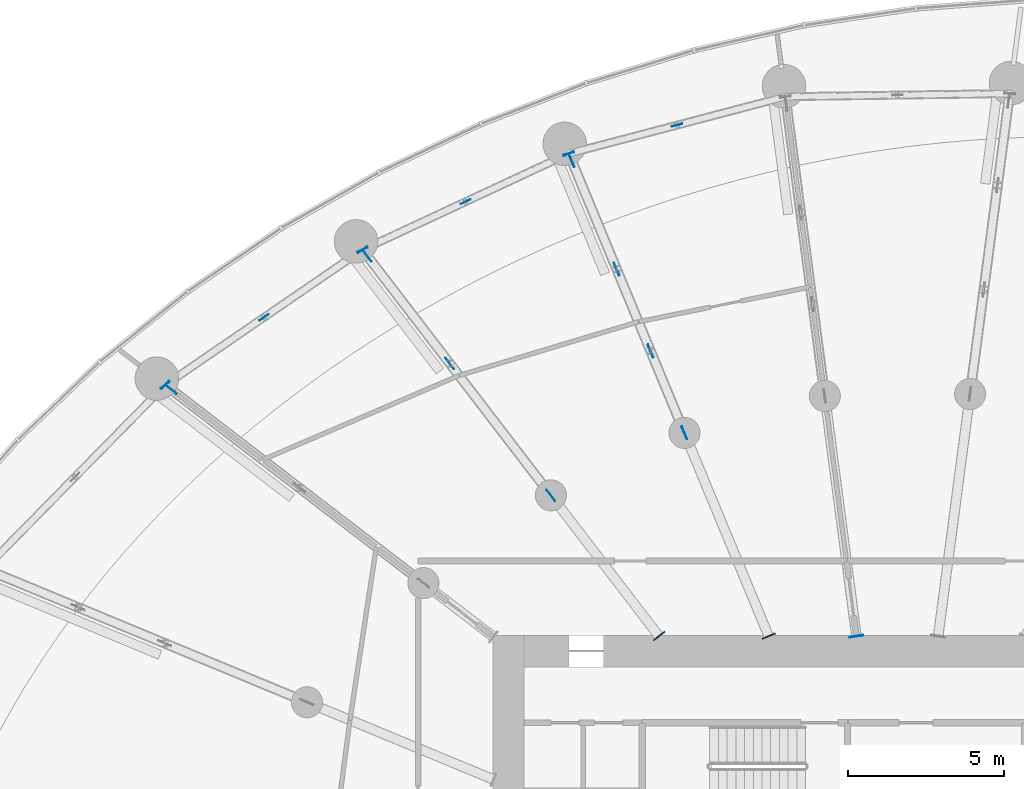
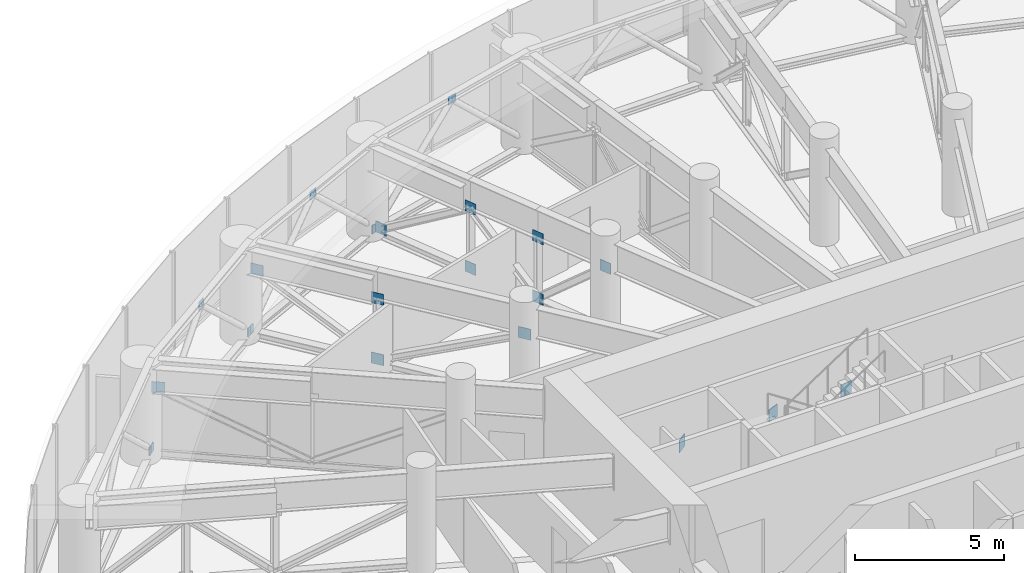
# One storey, part 34 of 42: 23 discrete accessories.
"""IFC4 building model written with IfcOpenShell, lengths in metres."""

import ifcopenshell
import ifcopenshell.guid

model = None  # the IFC model being written
_history = None  # IfcOwnerHistory: only IFC2X3 demands one
_inside = {}  # id of a spatial element -> (the spatial element, [elements in it])
_under = {}  # id of a project, library or spatial element -> (it, [spatial elements below it])
_declared = {}  # id of a project -> (the project, [libraries it declares])
_typed = {}  # id of a type object -> (the type object, [elements of that type])
_made_of = {}  # id of a material, layer set ... -> (it, [elements and type objects made of it])


def new_model(schema):
    """Start an empty IFC model of exactly this schema.

    Asked for "IFC4X3", IfcOpenShell would pick the latest addendum, in which some entities
    have other attributes; the version numbers below select the first issue.
    IFC2X3 requires an IfcOwnerHistory on every rooted entity: one is made here for all.
    """
    global model, _history
    if schema == "IFC4X3":
        model = ifcopenshell.file(schema_version=(4, 3, 0, 0))
    else:
        model = ifcopenshell.file(schema=schema)
    _inside.clear()
    _under.clear()
    _declared.clear()
    _typed.clear()
    _made_of.clear()
    _history = None
    if model.schema == "IFC2X3":
        org = make("IfcOrganization", Name="unknown")
        user = make(
            "IfcPersonAndOrganization",
            ThePerson=make("IfcPerson", FamilyName="unknown"),
            TheOrganization=org,
        )
        app = make(
            "IfcApplication",
            ApplicationDeveloper=org,
            Version="unknown",
            ApplicationFullName="unknown",
            ApplicationIdentifier="unknown",
        )
        _history = make(
            "IfcOwnerHistory",
            OwningUser=user,
            OwningApplication=app,
            ChangeAction="ADDED",
            CreationDate=0,
        )
    return model


def make(cls, **values):
    """One entity of the class cls with the attributes given. An attribute that is None is left unset."""
    return model.create_entity(
        cls, **{name: value for name, value in values.items() if value is not None}
    )


def rooted(cls, **values):
    """An entity with a GlobalId (a new one), such as an element, a storey or a relation."""
    return make(cls, GlobalId=ifcopenshell.guid.new(), OwnerHistory=_history, **values)


def si_unit(unit_type, name, prefix=None):
    """IfcSIUnit, for example si_unit("LENGTHUNIT", "METRE", prefix="MILLI")."""
    return make("IfcSIUnit", UnitType=unit_type, Prefix=prefix, Name=name)


def assignment(units):
    """IfcUnitAssignment: the units of a project."""
    return None if units is None else make("IfcUnitAssignment", Units=units)


def point(xyz):
    """IfcCartesianPoint."""
    return None if xyz is None else make("IfcCartesianPoint", Coordinates=xyz)


def direction(xyz):
    """IfcDirection."""
    return None if xyz is None else make("IfcDirection", DirectionRatios=xyz)


def frame(location, z_axis=None, x_axis=None):
    """IfcAxis2Placement3D, a coordinate frame: its origin and axes. An axis left out is left unset."""
    return make(
        "IfcAxis2Placement3D",
        Location=point(location),
        Axis=direction(z_axis),
        RefDirection=direction(x_axis),
    )


def frame_2d(location, x_axis=None):
    """IfcAxis2Placement2D, a coordinate frame in the plane: its origin and x axis."""
    return make(
        "IfcAxis2Placement2D", Location=point(location), RefDirection=direction(x_axis)
    )


def origin():
    """The frame at (0, 0, 0) with its axes left unset."""
    return frame((0.0, 0.0, 0.0))


def origin_2d():
    """The frame at (0, 0) in the plane with its x axis left unset."""
    return frame_2d((0.0, 0.0))


def place(relative_to, where):
    """IfcLocalPlacement: puts the frame where relative to a parent placement (None: the world)."""
    return make(
        "IfcLocalPlacement", PlacementRelTo=relative_to, RelativePlacement=where
    )


def context(
    kind, dimensions, precision=None, world=None, true_north=None, identifier=None
):
    """IfcGeometricRepresentationContext, for example the 3D "Model" context."""
    return make(
        "IfcGeometricRepresentationContext",
        ContextIdentifier=identifier,
        ContextType=kind,
        CoordinateSpaceDimension=dimensions,
        Precision=precision,
        WorldCoordinateSystem=world,
        TrueNorth=true_north,
    )


def subcontext(parent, identifier, kind, view, scale=None):
    """IfcGeometricRepresentationSubContext, for example "Body" below "Model"."""
    return make(
        "IfcGeometricRepresentationSubContext",
        ContextIdentifier=identifier,
        ContextType=kind,
        ParentContext=parent,
        TargetScale=scale,
        TargetView=view,
    )


def project(units=None, contexts=None):
    """IfcProject with its units and contexts."""
    return rooted(
        "IfcProject",
        Name="project",
        RepresentationContexts=contexts,
        UnitsInContext=assignment(units),
    )


def spatial(cls, under=None, at=None, **own):
    """A site, building, storey or space (cls), placed at a placement, below another one or the project."""
    s = rooted(cls, ObjectPlacement=at, **own)
    if under is not None:
        _under.setdefault(under.id(), (under, []))[1].append(s)
    return s


def profile(cls, at=None, kind="AREA", **sizes):
    """A parametric profile (cls). Its sizes go by their IFC names, for example OverallWidth=200.0."""
    return make(cls, ProfileType=kind, Position=at, **sizes)


def rectangle(**sizes):
    """IfcRectangleProfileDef."""
    return profile("IfcRectangleProfileDef", **sizes)


def extrude(swept, where, along, depth):
    """IfcExtrudedAreaSolid: the profile swept, set in the frame where, extruded along a direction by depth."""
    return make(
        "IfcExtrudedAreaSolid",
        SweptArea=swept,
        Position=where,
        ExtrudedDirection=direction(along),
        Depth=depth,
    )


def shape(context_of_items, identifier, shape_type, items):
    """IfcShapeRepresentation: the items that make up one representation, for example the "Body"."""
    return make(
        "IfcShapeRepresentation",
        ContextOfItems=context_of_items,
        RepresentationIdentifier=identifier,
        RepresentationType=shape_type,
        Items=items,
    )


def source(mapping_origin, context_of_items, identifier, shape_type, items):
    """IfcRepresentationMap: a shape defined once, which mapped items show again and again."""
    return make(
        "IfcRepresentationMap",
        MappingOrigin=mapping_origin,
        MappedRepresentation=shape(context_of_items, identifier, shape_type, items),
    )


def transform(
    local_origin,
    x_axis=None,
    y_axis=None,
    z_axis=None,
    scale=None,
    scale2=None,
    scale3=None,
    uniform=True,
):
    """IfcCartesianTransformationOperator3D, or its non-uniform kind. x_axis, y_axis, z_axis: its Axis1, 2, 3."""
    if uniform:
        return make(
            "IfcCartesianTransformationOperator3D",
            Axis1=direction(x_axis),
            Axis2=direction(y_axis),
            LocalOrigin=point(local_origin),
            Scale=scale,
            Axis3=direction(z_axis),
        )
    return make(
        "IfcCartesianTransformationOperator3DnonUniform",
        Axis1=direction(x_axis),
        Axis2=direction(y_axis),
        LocalOrigin=point(local_origin),
        Scale=scale,
        Axis3=direction(z_axis),
        Scale2=scale2,
        Scale3=scale3,
    )


def mapped(mapping_source, mapping_target):
    """IfcMappedItem: shows the shape of a source again, moved by a transform."""
    return make(
        "IfcMappedItem", MappingSource=mapping_source, MappingTarget=mapping_target
    )


def material(Name=None, Category=None):
    """IfcMaterial."""
    return make("IfcMaterial", Name=Name, Category=Category)


def layer(
    of_material, thickness, ventilated=None, Name=None, Category=None, Priority=None
):
    """IfcMaterialLayer: one layer of a wall or slab, of a material (None: an air gap)."""
    return make(
        "IfcMaterialLayer",
        Material=of_material,
        LayerThickness=thickness,
        IsVentilated=ventilated,
        Name=Name,
        Category=Category,
        Priority=Priority,
    )


def layer_set(layers, Name=None):
    """IfcMaterialLayerSet."""
    return make("IfcMaterialLayerSet", MaterialLayers=layers, LayerSetName=Name)


def made_of(thing, what):
    """Note that an element or type object is made of a material, layer set ...; save() writes the relation."""
    if what is not None:
        _made_of.setdefault(what.id(), (what, []))[1].append(thing)
    return thing


def type_object(cls, material=None, **own):
    """A type object (cls), such as IfcWallType, which elements share."""
    return made_of(rooted(cls, **own), material)


def element(
    cls,
    number,
    at=None,
    inside=None,
    cuts=None,
    type_object=None,
    material=None,
    context=None,
    identifier="Body",
    shape_type=None,
    held_by="IfcProductDefinitionShape",
    body=None,
    shapes=None,
    **own,
):
    """One element of the class cls, such as IfcWall. Its Tag is "e" and its number.

    at: its placement. inside: the storey or other place that contains it. cuts: it is an
    opening in that element (IfcRelVoidsElement). A single representation is given by context,
    identifier, shape_type and body (its items); several are given by shapes. held_by: the class
    of the entity that holds the representations. save() writes the other relations.
    """
    e = rooted(cls, Tag="e%d" % number, ObjectPlacement=at, **own)
    if body is not None:
        shapes = [shape(context, identifier, shape_type, body)]
    if shapes is not None:
        e.Representation = make(held_by, Representations=shapes)
    if inside is not None:
        _inside.setdefault(inside.id(), (inside, []))[1].append(e)
    if cuts is not None:
        rooted(
            "IfcRelVoidsElement", RelatingBuildingElement=cuts, RelatedOpeningElement=e
        )
    if type_object is not None:
        _typed.setdefault(type_object.id(), (type_object, []))[1].append(e)
    return made_of(e, material)


def aggregate(whole, parts):
    """IfcRelAggregates: a whole, such as a stair, and the parts it consists of."""
    return rooted("IfcRelAggregates", RelatingObject=whole, RelatedObjects=parts)


def save(model, path):
    """Write the relations noted so far, then the file.

    IfcRelAggregates (storeys below a building ...), IfcRelContainedInSpatialStructure (elements
    in a storey), IfcRelDefinesByType, IfcRelAssociatesMaterial and IfcRelDeclares: one each for
    every whole, place, type object, material and project.
    """
    for whole, parts in _under.values():
        aggregate(whole, parts)
    for where, things in _inside.values():
        rooted(
            "IfcRelContainedInSpatialStructure",
            RelatedElements=things,
            RelatingStructure=where,
        )
    for kind, things in _typed.values():
        rooted("IfcRelDefinesByType", RelatedObjects=things, RelatingType=kind)
    for what, things in _made_of.values():
        rooted("IfcRelAssociatesMaterial", RelatedObjects=things, RelatingMaterial=what)
    for by, libraries in _declared.values():
        rooted("IfcRelDeclares", RelatingContext=by, RelatedDefinitions=libraries)
    model.write(path)


model = new_model("IFC4")

# Units and contexts
model_context = context("Model", 3, precision=1e-05, world=origin(), true_north=direction((0.0, 1.0)))
body_context = subcontext(model_context, "Body", "Model", "MODEL_VIEW")
ifc_project = project(units=[si_unit("LENGTHUNIT", "METRE"), si_unit("AREAUNIT", "SQUARE_METRE"), si_unit("VOLUMEUNIT", "CUBIC_METRE"), si_unit("PLANEANGLEUNIT", "RADIAN"), si_unit("MASSUNIT", "GRAM", prefix="KILO")], contexts=[model_context])

# Site, building, storey
site_placement = place(None, origin())
site = spatial("IfcSite", under=ifc_project, at=site_placement, CompositionType="ELEMENT")
building_placement = place(site_placement, origin())
building = spatial("IfcBuilding", under=site, at=building_placement, Name="Spindrift Exchange Tower", CompositionType="ELEMENT")
storey_placement = place(building_placement, frame((0.0, 0.0, 75.39990234375)))
storey = spatial("IfcBuildingStorey", under=building, at=storey_placement, Name="L17", CompositionType="ELEMENT", Elevation=75.39990234375)

# Discrete accessories
ifc_material = material(Name="Steel Grade 350", Category="steel")
ifc_layer_1 = layer(ifc_material, 0.031982421875)
ifc_layer_set_1 = layer_set([ifc_layer_1], Name="Cast-in plate 450x500x32 Steel Grade 350")
discrete_accessory_type_1 = type_object("IfcDiscreteAccessoryType", Name="Cast-in plate 450x500x32 Steel Grade 350", PredefinedType="USERDEFINED", material=ifc_layer_set_1)
shared_shape_1 = source(origin(), body_context, "Body", "SweptSolid", [
    extrude(rectangle(XDim=0.031982421875, YDim=0.449951171875, at=origin_2d()), origin(), (0.0, 0.0, 1.0), 0.5),
])
for number, where, z_axis, x_axis, name in (
    (1, (50.68603515625, 57.980224609375, -0.413330078125), (0.0, 0.0, 1.0), (-0.13052619222, 0.991444861374, 0.0), "L17 cast-in plate CP2 07"),
    (2, (47.865478515625, 57.9814453125, -0.413330078125), (0.0, 0.0, 1.0), (-0.382683432365, 0.923879532511, 0.0), "L17 cast-in plate CP2 08"),
    (3, (44.3388671875, 57.984130859375, -0.413330078125), (0.0, 0.0, 1.0), (-0.608761429009, 0.793353340291, 0.0), "L17 cast-in plate CP2 09"),
):
    element("IfcDiscreteAccessory", number, at=place(storey_placement, frame(where, z_axis=z_axis, x_axis=x_axis)), inside=storey, type_object=discrete_accessory_type_1, Name=name, ObjectType="Cast-in plate", PredefinedType="USERDEFINED", context=body_context, shape_type="MappedRepresentation", body=[
        mapped(shared_shape_1, transform((0.0, 0.0, 0.0), scale=1.0)),
    ])
ifc_layer_2 = layer(ifc_material, 0.02490234375)
ifc_layer_set_2 = layer_set([ifc_layer_2], Name="Gusset plate 450x450x25 Steel Grade 350")
discrete_accessory_type_2 = type_object("IfcDiscreteAccessoryType", Name="Gusset plate 450x450x25 Steel Grade 350", PredefinedType="USERDEFINED", material=ifc_layer_set_2)
shared_shape_2 = source(origin(), body_context, "Body", "SweptSolid", [
    extrude(rectangle(XDim=0.449951171875, YDim=0.02490234375, at=origin_2d()), origin(), (0.0, 0.0, 1.0), 0.449951171875),
])
for number, where, z_axis, x_axis, name in (
    (4, (45.158203125, 64.517578125, 2.5751953125), (0.0, 0.0, 1.0), (-0.382681819891, 0.923880200418, 0.0), "L17 gusset plate GP1 08"),
    (5, (44.068115234375, 67.14892578125, 0.10205078125), (0.0, 0.0, 1.0), (-0.382681819891, 0.923880200418, 0.0), "L17 gusset plate GP1 08"),
    (6, (42.978271484375, 69.780517578125, 2.5751953125), (0.0, 0.0, 1.0), (-0.382681819891, 0.923880200418, 0.0), "L17 gusset plate GP1 08"),
    (7, (41.53173828125, 73.272705078125, 0.10205078125), (0.0, 0.0, 1.0), (-0.382670532536, 0.92388487569, 0.0), "L17 gusset plate GP1 08"),
    (8, (44.068115234375, 67.14892578125, 2.5751953125), (0.0, 0.0, 1.0), (-0.382683432365, 0.923879532511, 0.0), "L17 gusset plate GP1 08"),
    (9, (42.978271484375, 69.780517578125, 0.10205078125), (0.0, 0.0, 1.0), (-0.382683432365, 0.923879532511, 0.0), "L17 gusset plate GP1 08"),
    (10, (40.8662109375, 62.510009765625, 2.5751953125), (0.0, 0.0, 1.0), (-0.608764198331, 0.793351215308, 0.0), "L17 gusset plate GP1 09"),
    (11, (37.617919921875, 66.742919921875, 0.10205078125), (0.0, 0.0, 1.0), (-0.608764198331, 0.793351215308, 0.0), "L17 gusset plate GP1 09"),
    (12, (34.95654296875, 70.211669921875, 2.5751953125), (0.0, 0.0, 1.0), (-0.608754505672, 0.793358652707, 0.0), "L17 gusset plate GP1 09"),
    (13, (37.617919921875, 66.742919921875, 2.5751953125), (0.0, 0.0, 1.0), (-0.608761429009, 0.793353340291, 0.0), "L17 gusset plate GP1 09"),
    (14, (28.65966796875, 65.90966796875, 2.5751953125), (0.0, 0.0, 1.0), (-0.793357590228, 0.608755890343, 0.0), "L17 gusset plate GP1 10"),
):
    element("IfcDiscreteAccessory", number, at=place(storey_placement, frame(where, z_axis=z_axis, x_axis=x_axis)), inside=storey, type_object=discrete_accessory_type_2, Name=name, ObjectType="Gusset plate", PredefinedType="USERDEFINED", context=body_context, shape_type="MappedRepresentation", body=[
        mapped(shared_shape_2, transform((0.0, 0.0, 0.0), scale=1.0)),
    ])
ifc_layer_3 = layer(ifc_material, 0.02001953125)
ifc_layer_set_3 = layer_set([ifc_layer_3], Name="Gusset plate 350x350x20 Steel Grade 350")
discrete_accessory_type_3 = type_object("IfcDiscreteAccessoryType", Name="Gusset plate 350x350x20 Steel Grade 350", PredefinedType="USERDEFINED", material=ifc_layer_set_3)
shared_shape_3 = source(origin(), body_context, "Body", "SweptSolid", [
    extrude(rectangle(XDim=0.35009765625, YDim=0.02001953125, at=origin_2d()), origin(), (0.0, 0.0, 1.0), 0.35009765625),
])
for number, where, z_axis, x_axis, name in (
    (15, (44.921142578125, 74.4091796875, 3.56494140625), (0.0, 0.0, 1.0), (-0.967162261232, -0.254159714448, 0.0), "L17 gusset plate GP2 07"),
    (16, (41.439697265625, 73.494384765625, 0.0849609375), (0.0, 0.0, 1.0), (-0.96716714057, -0.254141146219, 0.0), "L17 gusset plate GP2 07"),
    (17, (41.439697265625, 73.494384765625, 0.0849609375), (0.0, 0.0, 1.0), (-0.90624212899, -0.42275903733, 0.0), "L17 gusset plate GP2 08"),
    (18, (38.125, 71.9482421875, 3.56494140625), (0.0, 0.0, 1.0), (-0.90624212899, -0.42275903733, 0.0), "L17 gusset plate GP2 08"),
    (19, (34.810302734375, 70.402099609375, 0.0849609375), (0.0, 0.0, 1.0), (-0.906252458671, -0.422736893532, 0.0), "L17 gusset plate GP2 08"),
    (20, (34.810302734375, 70.402099609375, 0.0849609375), (0.0, 0.0, 1.0), (-0.824853092592, -0.565347128446, 0.0), "L17 gusset plate GP2 09"),
    (21, (31.639892578125, 68.22900390625, 3.56494140625), (0.0, 0.0, 1.0), (-0.824853092592, -0.565347128446, 0.0), "L17 gusset plate GP2 09"),
    (22, (28.468994140625, 66.055908203125, 0.0849609375), (0.0, 0.0, 1.0), (-0.824861972942, -0.565334171614, 0.0), "L17 gusset plate GP2 09"),
    (23, (28.468994140625, 66.055908203125, 0.0849609375), (0.0, 0.0, 1.0), (-0.700601719532, -0.713552542276, 0.0), "L17 gusset plate GP2 10"),
):
    element("IfcDiscreteAccessory", number, at=place(storey_placement, frame(where, z_axis=z_axis, x_axis=x_axis)), inside=storey, type_object=discrete_accessory_type_3, Name=name, ObjectType="Gusset plate", PredefinedType="USERDEFINED", context=body_context, shape_type="MappedRepresentation", body=[
        mapped(shared_shape_3, transform((0.0, 0.0, 0.0), scale=1.0)),
    ])

save(model, "model.ifc")
